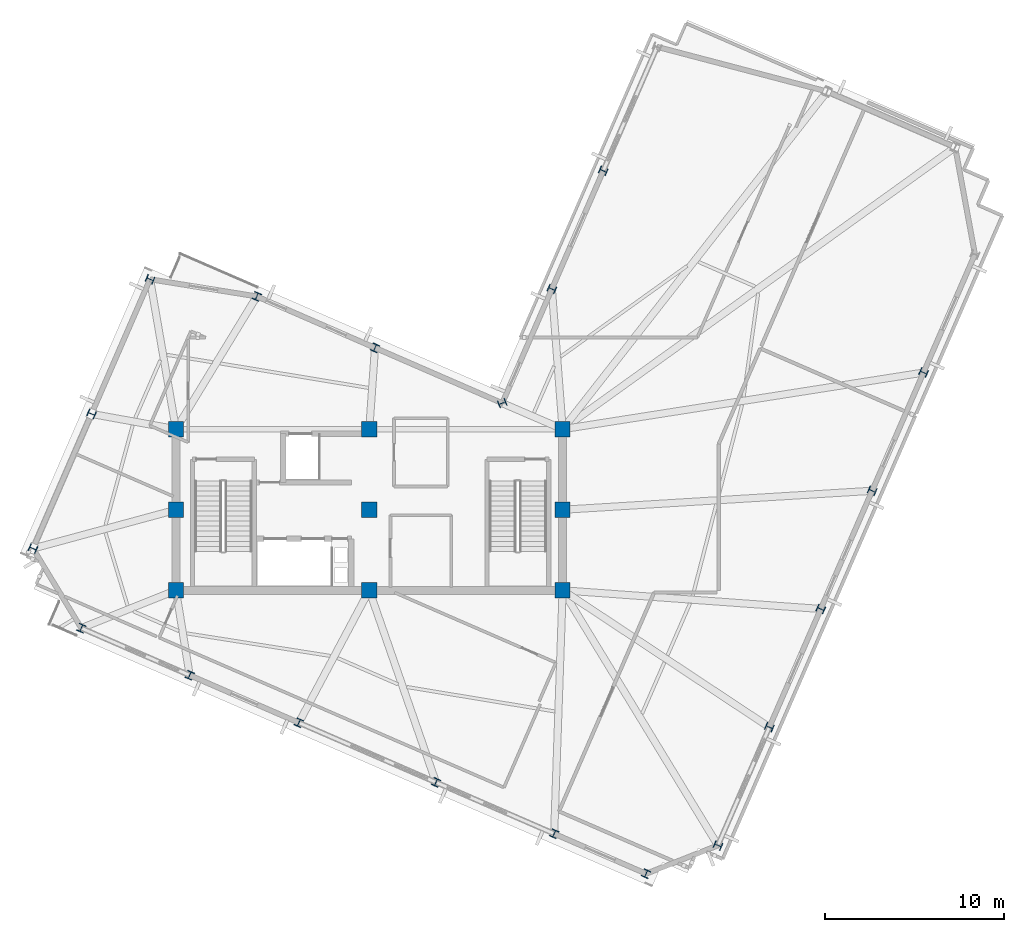
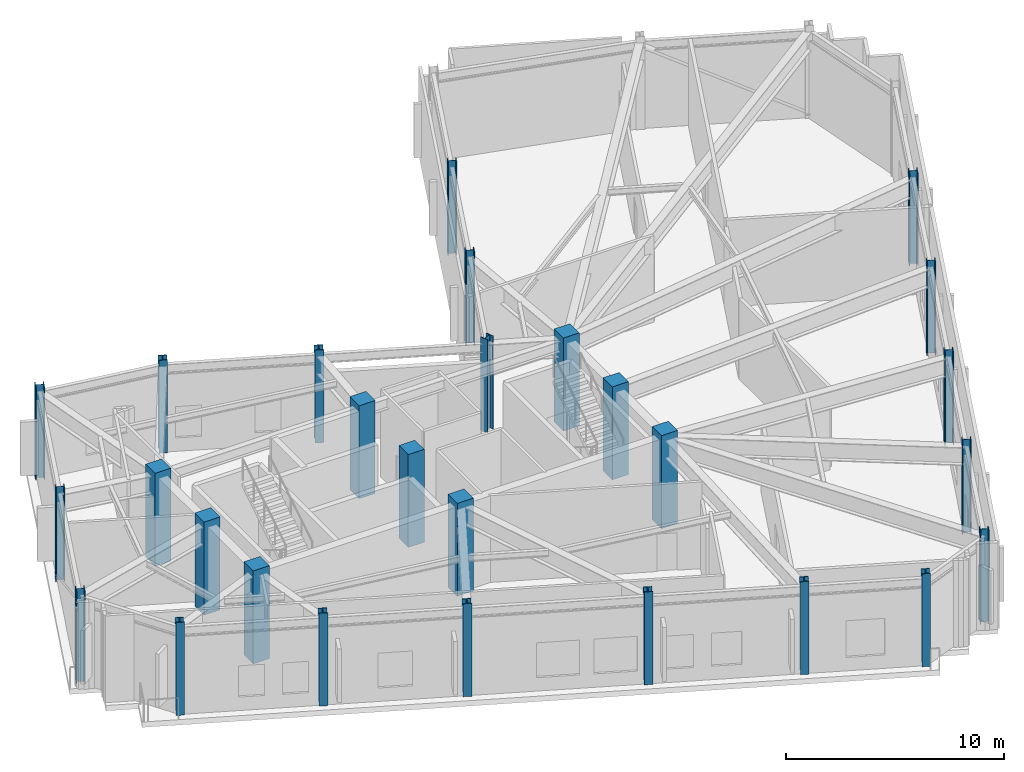
# One storey, part 1 of 12: 28 columns.
"""IFC4 building model written with IfcOpenShell, lengths in metres."""

from ifc_helpers import new_model, si_unit, direction, frame, origin, origin_2d, place, context, subcontext, project, spatial, rectangle, i_section, extrude, material, material_profile, profile_set, type_object, element, save


model = new_model("IFC4")

# Units and contexts
model_context = context("Model", 3, precision=1e-05, world=origin(), true_north=direction((0.0, 1.0)))
body_context = subcontext(model_context, "Body", "Model", "MODEL_VIEW")
ifc_project = project(units=[si_unit("LENGTHUNIT", "METRE"), si_unit("AREAUNIT", "SQUARE_METRE"), si_unit("VOLUMEUNIT", "CUBIC_METRE"), si_unit("PLANEANGLEUNIT", "RADIAN"), si_unit("MASSUNIT", "GRAM", prefix="KILO")], contexts=[model_context])

# Site, building, storey
site_placement = place(None, origin())
site = spatial("IfcSite", under=ifc_project, at=site_placement, CompositionType="ELEMENT")
building_placement = place(site_placement, origin())
building = spatial("IfcBuilding", under=site, at=building_placement, Name="Gaonmaruhae Medical Tower", CompositionType="ELEMENT")
storey_placement = place(building_placement, frame((0.0, 0.0, 342.60009765625)))
storey = spatial("IfcBuildingStorey", under=building, at=storey_placement, Name="L82", CompositionType="ELEMENT", Elevation=342.60009765625)

# Columns
ifc_material_1 = material(Name="Concrete C50/60", Category="concrete")
ifc_material_profile_1 = material_profile(ifc_material_1, rectangle(XDim=0.85009765625, YDim=0.85009765625, at=origin_2d()), Name="RC-850x850")
ifc_profile_set_1 = profile_set([ifc_material_profile_1], Name="Concrete C50/60")
column_type_1 = type_object("IfcColumnType", Name="CC-06 Upper Core Column (RC-850x850)", PredefinedType="COLUMN", material=ifc_profile_set_1)
for number, where, z_axis, x_axis, name in (
    (1, (14.0, 7.800048828125, 0.0), (0.0, 0.0, 1.0), (1.0, 0.0, 0.0), "L82 Plumb Core Column CC11"),
    (2, (14.0, 12.300048828125, 0.0), (0.0, 0.0, 1.0), (1.0, 0.0, 0.0), "L82 Plumb Core Column CC12"),
    (3, (14.0, 16.800048828125, 0.0), (0.0, 0.0, 1.0), (1.0, 0.0, 0.0), "L82 Plumb Core Column CC13"),
    (4, (24.800048828125, 7.800048828125, 0.0), (0.0, 0.0, 1.0), (1.0, 0.0, 0.0), "L82 Plumb Core Column CC21"),
    (5, (24.800048828125, 12.300048828125, 0.0), (0.0, 0.0, 1.0), (1.0, 0.0, 0.0), "L82 Plumb Core Column CC22"),
    (6, (24.800048828125, 16.800048828125, 0.0), (0.0, 0.0, 1.0), (1.0, 0.0, 0.0), "L82 Plumb Core Column CC23"),
    (7, (35.60009765625, 7.800048828125, 0.0), (0.0, 0.0, 1.0), (1.0, 0.0, 0.0), "L82 Plumb Core Column CC31"),
    (8, (35.60009765625, 12.300048828125, 0.0), (0.0, 0.0, 1.0), (1.0, 0.0, 0.0), "L82 Plumb Core Column CC32"),
    (9, (35.60009765625, 16.800048828125, 0.0), (0.0, 0.0, 1.0), (1.0, 0.0, 0.0), "L82 Plumb Core Column CC33"),
):
    element("IfcColumn", number, at=place(storey_placement, frame(where, z_axis=z_axis, x_axis=x_axis)), inside=storey, type_object=column_type_1, Name=name, PredefinedType="COLUMN", context=body_context, shape_type="SweptSolid", body=[
        extrude(rectangle(XDim=0.85009765625, YDim=0.85009765625, at=origin_2d()), origin(), (0.0, 0.0, 1.0), 5.199951171875),
    ])
ifc_material_2 = material(Name="Steel SM420", Category="steel")
ifc_material_profile_2 = material_profile(ifc_material_2, i_section(OverallWidth=0.406982421875, OverallDepth=0.427978515625, WebThickness=0.02001953125, FlangeThickness=0.034912109375, FilletRadius=0.02197265625, at=origin_2d()), Name="H-428x407x20x35")
ifc_profile_set_2 = profile_set([ifc_material_profile_2], Name="Steel SM420")
column_type_2 = type_object("IfcColumnType", Name="SC-01 Crown Plant Steel Column (H-428x407x20x35)", PredefinedType="COLUMN", material=ifc_profile_set_2)
for number, where, z_axis, x_axis, name in (
    (10, (44.275146484375, -6.448486328125, 0.001708984375), (0.0, 0.0, 1.0), (0.398749068925, 0.917060074385, 0.0), "L82 Perimeter Tube Column S01"),
    (11, (47.14599609375, 0.154296875, 0.001708984375), (0.0, 0.0, 1.0), (0.398749068925, 0.917060074385, 0.0), "L82 Perimeter Tube Column S02"),
    (12, (50.01708984375, 6.75732421875, 0.001708984375), (0.0, 0.0, 1.0), (0.398749068925, 0.917060074385, 0.0), "L82 Perimeter Tube Column S03"),
    (13, (52.88818359375, 13.360107421875, 0.001708984375), (0.0, 0.0, 1.0), (0.398749068925, 0.917060074385, 0.0), "L82 Perimeter Tube Column S04"),
    (14, (55.759033203125, 19.962890625, 0.001708984375), (0.0, 0.0, 1.0), (0.398749068925, 0.917060074385, 0.0), "L82 Perimeter Tube Column S05"),
    (15, (37.868408203125, 31.2314453125, 0.001708984375), (0.0, 0.0, 1.0), (0.398749068925, 0.917060074385, 0.0), "L82 Perimeter Tube Column EN01"),
    (16, (34.99755859375, 24.62841796875, 0.001708984375), (0.0, 0.0, 1.0), (0.398749068925, 0.917060074385, 0.0), "L82 Perimeter Tube Column EN02"),
    (17, (32.226318359375, 18.2548828125, 0.001708984375), (0.0, 0.0, 1.0), (-0.366501226724, 0.930417567982, 0.0), "L82 Perimeter Tube Column KN01"),
    (18, (25.118896484375, 21.34521484375, 0.001708984375), (0.0, 0.0, 1.0), (-0.917060074385, 0.398749068925, 0.0), "L82 Perimeter Tube Column NE01"),
    (19, (18.51611328125, 24.21630859375, 0.001708984375), (0.0, 0.0, 1.0), (-0.917060074385, 0.398749068925, 0.0), "L82 Perimeter Tube Column NE02"),
    (20, (12.55322265625, 25.17333984375, 0.001708984375), (0.0, 0.0, 1.0), (0.398749068925, 0.917060074385, 0.0), "L82 Perimeter Tube Column N01"),
    (21, (9.283447265625, 17.653564453125, 0.001708984375), (0.0, 0.0, 1.0), (0.398749068925, 0.917060074385, 0.0), "L82 Perimeter Tube Column N02"),
    (22, (6.013671875, 10.133544921875, 0.001708984375), (0.0, 0.0, 1.0), (0.398749068925, 0.917060074385, 0.0), "L82 Perimeter Tube Column N03"),
    (23, (8.715087890625, 5.687744140625, 0.001708984375), (0.0, 0.0, 1.0), (-0.917060074385, 0.398749068925, 0.0), "L82 Perimeter Tube Column W01"),
    (24, (14.767578125, 3.055908203125, 0.001708984375), (0.0, 0.0, 1.0), (-0.917060074385, 0.398749068925, 0.0), "L82 Perimeter Tube Column W02"),
    (25, (20.865966796875, 0.404296875, 0.001708984375), (0.0, 0.0, 1.0), (-0.917060074385, 0.398749068925, 0.0), "L82 Perimeter Tube Column W03"),
    (26, (28.5234375, -2.92529296875, 0.001708984375), (0.0, 0.0, 1.0), (-0.917060074385, 0.398749068925, 0.0), "L82 Perimeter Tube Column W04"),
    (27, (35.12646484375, -5.79638671875, 0.001708984375), (0.0, 0.0, 1.0), (-0.917060074385, 0.398749068925, 0.0), "L82 Perimeter Tube Column W05"),
    (28, (40.261962890625, -8.029296875, 0.001708984375), (0.0, 0.0, 1.0), (-0.917060074385, 0.398749068925, 0.0), "L82 Perimeter Tube Column W06"),
):
    element("IfcColumn", number, at=place(storey_placement, frame(where, z_axis=z_axis, x_axis=x_axis)), inside=storey, type_object=column_type_2, Name=name, PredefinedType="COLUMN", context=body_context, shape_type="SweptSolid", body=[
        extrude(i_section(OverallWidth=0.406982421875, OverallDepth=0.427978515625, WebThickness=0.02001953125, FlangeThickness=0.034912109375, FilletRadius=0.02197265625, at=origin_2d()), origin(), (0.0, 0.0, 1.0), 5.1962890625),
    ])

save(model, "model.ifc")
